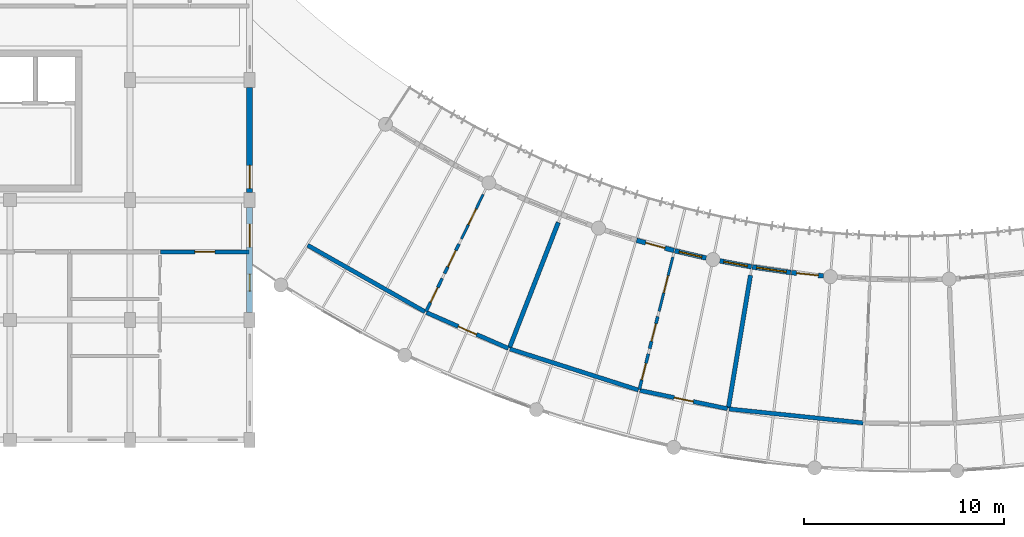
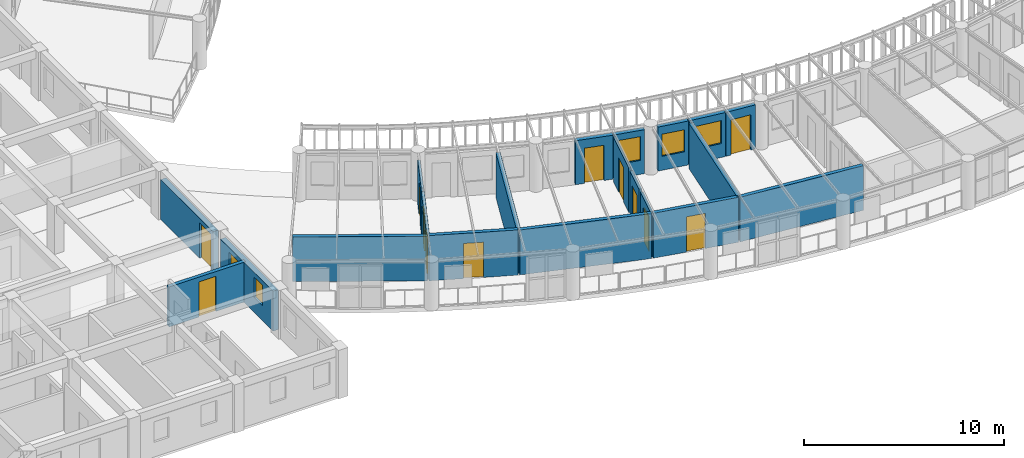
# One storey, part 77 of 123: 21 walls, 13 doors, 4 windows, 17 openings.
"""IFC4 building model written with IfcOpenShell, lengths in metres."""

from ifc_helpers import new_model, si_unit, direction, frame, frame_2d, origin, place, context, subcontext, project, spatial, rectangle, extrude, material, layer, layer_set, type_object, element, fill, save


model = new_model("IFC4")

# Units and contexts
model_context = context("Model", 3, precision=1e-05, world=origin(), true_north=direction((0.0, 1.0)))
body_context = subcontext(model_context, "Body", "Model", "MODEL_VIEW")
ifc_project = project(units=[si_unit("LENGTHUNIT", "METRE"), si_unit("AREAUNIT", "SQUARE_METRE"), si_unit("VOLUMEUNIT", "CUBIC_METRE"), si_unit("PLANEANGLEUNIT", "RADIAN"), si_unit("MASSUNIT", "GRAM", prefix="KILO"), si_unit("POWERUNIT", "WATT"), si_unit("THERMODYNAMICTEMPERATUREUNIT", "KELVIN")], contexts=[model_context])

# Site, building, storey
site_placement = place(None, origin())
site = spatial("IfcSite", under=ifc_project, at=site_placement, CompositionType="ELEMENT")
building_placement = place(site_placement, origin())
building = spatial("IfcBuilding", under=site, at=building_placement, Name="Ruvembo Vaulted Housing Court", CompositionType="ELEMENT")
storey_placement = place(building_placement, frame((0.0, 0.0, 7.699951171875)))
storey = spatial("IfcBuildingStorey", under=building, at=storey_placement, Name="L02", CompositionType="ELEMENT", Elevation=7.699951171875)

# Wall, opening, door
ifc_material_1 = material(Name="Concrete Blockwork 210", Category="masonry")
ifc_layer_1 = layer(ifc_material_1, 0.2099609375, Name="Concrete Blockwork 210")
ifc_layer_set_1 = layer_set([ifc_layer_1], Name="Concrete Blockwork 210")
wall_type_1 = type_object("IfcWallType", Name="WL-CORR-210", PredefinedType="SOLIDWALL", material=ifc_layer_set_1)
wall_1_placement = place(storey_placement, frame((31.5400390625, 15.39990234375, 0.0), z_axis=(0.0, 0.0, 1.0), x_axis=(1.0, 0.0, 0.0)))
wall_1 = element("IfcWall", 1, at=wall_1_placement, inside=storey, type_object=wall_type_1, Name="L02 Flat A-L02-S4 Entrance WL-INT-L02-00507", PredefinedType="SOLIDWALL", context=body_context, shape_type="SweptSolid", body=[
    extrude(rectangle(XDim=4.419921875, YDim=0.2099609375, at=frame_2d((2.2099609375, 0.0))), origin(), (0.0, 0.0, 1.0), 2.43701171875),
])
opening_1_placement = place(wall_1_placement, frame((1.7099609375, 0.0, 0.0)))
opening_1 = element("IfcOpeningElement", 2, at=opening_1_placement, cuts=wall_1, Name="Opening FD1", PredefinedType="OPENING", context=body_context, shape_type="SweptSolid", body=[
    extrude(rectangle(XDim=1.0, YDim=2.14990234375, at=frame_2d((0.5, 1.074951171875))), frame((0.0, 0.114990234375, 0.0), z_axis=(0.0, -1.0, 0.0), x_axis=(1.0, 0.0, 0.0)), (0.0, 0.0, 1.0), 0.22998046875),
])
ifc_material_2 = material(Name="FSC Hardwood and Engineered Timber", Category="wood")
door_type_1 = type_object("IfcDoorType", Name="DR-FLAT-1000x2150", OperationType="NOTDEFINED", PredefinedType="DOOR", material=ifc_material_2)
door_1_placement = place(opening_1_placement, origin())
door_1 = element("IfcDoor", 3, at=door_1_placement, inside=storey, type_object=door_type_1, Name="L02 Flat A-L02-S4 Entrance Door DR-INT-L02-00276", OperationType="SINGLE_SWING_RIGHT", OverallHeight=2.14990234375, OverallWidth=1.0, PredefinedType="DOOR", context=body_context, shape_type="SweptSolid", body=[
    extrude(rectangle(XDim=1.0, YDim=2.14990234375, at=frame_2d((0.5, 1.074951171875))), frame((0.0, 0.02490234375, 0.0), z_axis=(0.0, -1.0, 0.0), x_axis=(1.0, 0.0, 0.0)), (0.0, 0.0, 1.0), 0.050048828125),
])
fill(opening_1, door_1)

# Wall
wall_2_placement = place(storey_placement, frame((38.897216796875, 15.7333984375, 0.0), z_axis=(0.0, 0.0, 1.0), x_axis=(0.86996578951, -0.493112081664, 0.0)))
element("IfcWall", 4, at=wall_2_placement, inside=storey, type_object=wall_type_1, Name="L02 Suite SC2-L02-U1 Gallery Wall WL-INT-L02-00705", PredefinedType="SOLIDWALL", context=body_context, shape_type="SweptSolid", body=[
    extrude(rectangle(XDim=6.747314453125, YDim=0.2099609375, at=frame_2d((3.37353515625, 0.0))), origin(), (0.0, 0.0, 1.0), 2.72216796875),
])

# Wall, opening, door
wall_3_placement = place(storey_placement, frame((44.83837890625, 12.37060546875, 0.0), z_axis=(0.0, 0.0, 1.0), x_axis=(0.91610596958, -0.40093621999, 0.0)))
wall_3 = element("IfcWall", 5, at=wall_3_placement, inside=storey, type_object=wall_type_1, Name="L02 Suite SC2-L02-U1 Entrance WL-INT-L02-00706", PredefinedType="SOLIDWALL", context=body_context, shape_type="SweptSolid", body=[
    extrude(rectangle(XDim=4.47314453125, YDim=0.2099609375, at=frame_2d((2.236572265625, 0.0))), origin(), (0.0, 0.0, 1.0), 2.761962890625),
])
opening_2_placement = place(wall_3_placement, frame((1.736572265625, 0.0, 0.0)))
opening_2 = element("IfcOpeningElement", 6, at=opening_2_placement, cuts=wall_3, Name="Opening FD1", PredefinedType="OPENING", context=body_context, shape_type="SweptSolid", body=[
    extrude(rectangle(XDim=1.0, YDim=2.14990234375, at=frame_2d((0.5, 1.074951171875))), frame((0.0, 0.114990234375, 0.0), z_axis=(0.0, -1.0, 0.0), x_axis=(1.0, 0.0, 0.0)), (0.0, 0.0, 1.0), 0.22998046875),
])
door_2_placement = place(opening_2_placement, origin())
door_2 = element("IfcDoor", 7, at=door_2_placement, inside=storey, type_object=door_type_1, Name="L02 Suite SC2-L02-U1 Entrance Door DR-INT-L02-00384", OperationType="SINGLE_SWING_RIGHT", OverallHeight=2.14990234375, OverallWidth=1.0, PredefinedType="DOOR", context=body_context, shape_type="SweptSolid", body=[
    extrude(rectangle(XDim=1.0, YDim=2.14990234375, at=frame_2d((0.5, 1.074951171875))), frame((0.0, 0.02490234375, 0.0), z_axis=(0.0, -1.0, 0.0), x_axis=(1.0, 0.0, 0.0)), (0.0, 0.0, 1.0), 0.050048828125),
])
fill(opening_2, door_2)

# Wall
wall_4_placement = place(storey_placement, frame((49.010986328125, 10.548828125, 0.0), z_axis=(0.0, 0.0, 1.0), x_axis=(0.952529122406, -0.304447484746, 0.0)))
element("IfcWall", 8, at=wall_4_placement, inside=storey, type_object=wall_type_1, Name="L02 Suite SC2-L02-U2 Gallery Wall WL-INT-L02-00711", PredefinedType="SOLIDWALL", context=body_context, shape_type="SweptSolid", body=[
    extrude(rectangle(XDim=6.747314453125, YDim=0.2099609375, at=frame_2d((3.37353515625, 0.0))), origin(), (0.0, 0.0, 1.0), 2.741943359375),
])

# Wall, opening, door
wall_5_placement = place(storey_placement, frame((55.51513671875, 8.47412109375, 0.0), z_axis=(0.0, 0.0, 1.0), x_axis=(0.978806148413, -0.204788973894, 0.0)))
wall_5 = element("IfcWall", 9, at=wall_5_placement, inside=storey, type_object=wall_type_1, Name="L02 Suite SC2-L02-U2 Entrance WL-INT-L02-00712", PredefinedType="SOLIDWALL", context=body_context, shape_type="SweptSolid", body=[
    extrude(rectangle(XDim=4.472900390625, YDim=0.2099609375, at=frame_2d((2.236328125, 0.0))), origin(), (0.0, 0.0, 1.0), 2.741943359375),
])
opening_3_placement = place(wall_5_placement, frame((1.74658203125, 0.0, 0.0)))
opening_3 = element("IfcOpeningElement", 10, at=opening_3_placement, cuts=wall_5, Name="Opening FD2", PredefinedType="OPENING", context=body_context, shape_type="SweptSolid", body=[
    extrude(rectangle(XDim=0.97998046875, YDim=2.14990234375, at=frame_2d((0.489990234375, 1.074951171875))), frame((0.0, 0.114990234375, 0.0), z_axis=(0.0, -1.0, 0.0), x_axis=(1.0, 0.0, 0.0)), (0.0, 0.0, 1.0), 0.22998046875),
])
door_type_2 = type_object("IfcDoorType", Name="DR-FLAT-0980x2150", OperationType="NOTDEFINED", PredefinedType="DOOR", material=ifc_material_2)
door_3_placement = place(opening_3_placement, origin())
door_3 = element("IfcDoor", 11, at=door_3_placement, inside=storey, type_object=door_type_2, Name="L02 Suite SC2-L02-U2 Entrance Door DR-INT-L02-00388", OperationType="SINGLE_SWING_RIGHT", OverallHeight=2.14990234375, OverallWidth=0.97998046875, PredefinedType="DOOR", context=body_context, shape_type="SweptSolid", body=[
    extrude(rectangle(XDim=0.97998046875, YDim=2.14990234375, at=frame_2d((0.489990234375, 1.074951171875))), frame((0.0, 0.02490234375, 0.0), z_axis=(0.0, -1.0, 0.0), x_axis=(1.0, 0.0, 0.0)), (0.0, 0.0, 1.0), 0.050048828125),
])
fill(opening_3, door_3)

# Walls
wall_6_placement = place(storey_placement, frame((59.972412109375, 7.545654296875, 0.0), z_axis=(0.0, 0.0, 1.0), x_axis=(0.994686939686, -0.10294606364, 0.0)))
element("IfcWall", 12, at=wall_6_placement, inside=storey, type_object=wall_type_1, Name="L02 Suite SC2-L02-U3 Gallery Wall WL-INT-L02-00717", PredefinedType="SOLIDWALL", context=body_context, shape_type="SweptSolid", body=[
    extrude(rectangle(XDim=6.7470703125, YDim=0.2099609375, at=frame_2d((3.37353515625, 0.0))), origin(), (0.0, 0.0, 1.0), 2.72216796875),
])
ifc_material_3 = material(Name="Acoustic Masonry Demising 220", Category="masonry")
ifc_layer_2 = layer(ifc_material_3, 0.219970703125, Name="Acoustic Masonry Demising 220")
ifc_layer_set_2 = layer_set([ifc_layer_2], Name="Acoustic Masonry Demising 220")
wall_type_2 = type_object("IfcWallType", Name="WL-DEM-200", PredefinedType="SOLIDWALL", material=ifc_layer_set_2)
wall_7_placement = place(storey_placement, frame((51.431396484375, 16.87548828125, 0.0), z_axis=(0.0, 0.0, 1.0), x_axis=(-0.362801288891, -0.931866527341, 0.0)))
element("IfcWall", 13, at=wall_7_placement, inside=storey, type_object=wall_type_2, Name="L02 Suite SC2-L02-U1 Demising WL-INT-L02-00710", PredefinedType="SOLIDWALL", context=body_context, shape_type="SweptSolid", body=[
    extrude(rectangle(XDim=6.736083984375, YDim=0.219970703125, at=frame_2d((3.3681640625, 0.0))), origin(), (0.0, 0.0, 1.0), 2.72216796875),
])
wall_8_placement = place(storey_placement, frame((61.045654296875, 14.233642578125, 0.0), z_axis=(0.0, 0.0, 1.0), x_axis=(-0.164263800505, -0.986416445445, 0.0)))
element("IfcWall", 14, at=wall_8_placement, inside=storey, type_object=wall_type_2, Name="L02 Suite SC2-L02-U2 Demising WL-INT-L02-00716", PredefinedType="SOLIDWALL", context=body_context, shape_type="SweptSolid", body=[
    extrude(rectangle(XDim=6.73583984375, YDim=0.219970703125, at=frame_2d((3.367919921875, 0.0))), origin(), (0.0, 0.0, 1.0), 2.761962890625),
])

# Wall, opening, door
ifc_material_4 = material(Name="Rendered Masonry 235", Category="masonry")
ifc_layer_3 = layer(ifc_material_4, 0.235107421875, Name="Rendered Masonry 235")
ifc_layer_set_3 = layer_set([ifc_layer_3], Name="Rendered Masonry 235")
wall_type_3 = type_object("IfcWallType", Name="WL-EXT-235", PredefinedType="STANDARD", material=ifc_layer_set_3)
wall_9_placement = place(storey_placement, frame((55.35009765625, 15.982177734375, 0.0), z_axis=(0.0, 0.0, 1.0), x_axis=(0.964271323293, -0.264916619098, 0.0)))
wall_9 = element("IfcWall", 15, at=wall_9_placement, inside=storey, type_object=wall_type_3, Name="Scoop SC2 L02 Concave Balcony Wall 7", PredefinedType="STANDARD", context=body_context, shape_type="SweptSolid", body=[
    extrude(rectangle(XDim=1.93994140625, YDim=0.235107421875, at=frame_2d((0.969970703125, 0.0))), origin(), (0.0, 0.0, 1.0), 2.68408203125),
])
opening_4_placement = place(wall_9_placement, frame((0.469970703125, 0.0, 0.0)))
opening_4 = element("IfcOpeningElement", 16, at=opening_4_placement, cuts=wall_9, Name="Opening BD1", PredefinedType="OPENING", context=body_context, shape_type="SweptSolid", body=[
    extrude(rectangle(XDim=1.0, YDim=2.14990234375, at=frame_2d((0.5, 1.074951171875))), frame((0.0, 0.12744140625, 0.0), z_axis=(0.0, -1.0, 0.0), x_axis=(1.0, 0.0, 0.0)), (0.0, 0.0, 1.0), 0.255126953125),
])
ifc_material_5 = material(Name="Thermally Broken Glazed Aluminium", Category="aluminium")
door_type_3 = type_object("IfcDoorType", Name="DR-BAL-1000x2150", OperationType="NOTDEFINED", PredefinedType="DOOR", material=ifc_material_5)
door_4_placement = place(opening_4_placement, origin())
door_4 = element("IfcDoor", 17, at=door_4_placement, inside=storey, type_object=door_type_3, Name="Scoop SC2 L02 Balcony Door 7", OperationType="SINGLE_SWING_RIGHT", OverallHeight=2.14990234375, OverallWidth=1.0, PredefinedType="DOOR", context=body_context, shape_type="SweptSolid", body=[
    extrude(rectangle(XDim=1.0, YDim=2.14990234375, at=frame_2d((0.5, 1.074951171875))), frame((0.0, 0.02490234375, 0.0), z_axis=(0.0, -1.0, 0.0), x_axis=(1.0, 0.0, 0.0)), (0.0, 0.0, 1.0), 0.050048828125),
])
fill(opening_4, door_4)

# Wall, opening, window
wall_10_placement = place(storey_placement, frame((57.259521484375, 15.45849609375, 0.0), z_axis=(0.0, 0.0, 1.0), x_axis=(0.974355406192, -0.225014538249, 0.0)))
wall_10 = element("IfcWall", 18, at=wall_10_placement, inside=storey, type_object=wall_type_3, Name="Scoop SC2 L02 Concave Balcony Wall 8", PredefinedType="STANDARD", context=body_context, shape_type="SweptSolid", body=[
    extrude(rectangle(XDim=1.610107421875, YDim=0.235107421875, at=frame_2d((0.80517578125, 0.0))), origin(), (0.0, 0.0, 1.0), 2.68408203125),
])
opening_5_placement = place(wall_10_placement, frame((0.22998046875, 0.0, 0.85009765625)))
opening_5 = element("IfcOpeningElement", 19, at=opening_5_placement, cuts=wall_10, Name="Opening W11", PredefinedType="OPENING", context=body_context, shape_type="SweptSolid", body=[
    extrude(rectangle(XDim=1.14990234375, YDim=1.449951171875, at=frame_2d((0.574951171875, 0.72509765625))), frame((0.0, 0.12744140625, 0.0), z_axis=(0.0, -1.0, 0.0), x_axis=(1.0, 0.0, 0.0)), (0.0, 0.0, 1.0), 0.255126953125),
])
ifc_material_6 = material(Name="Double Solar-Control Glazing in Aluminium Frame", Category="aluminium")
window_type_1 = type_object("IfcWindowType", Name="WIN-1150x1450", PartitioningType="SINGLE_PANEL", PredefinedType="WINDOW", material=ifc_material_6)
window_1_placement = place(opening_5_placement, origin())
window_1 = element("IfcWindow", 20, at=window_1_placement, inside=storey, type_object=window_type_1, Name="Scoop SC2 L02 Concave Window 8", OverallHeight=1.449951171875, OverallWidth=1.14990234375, PartitioningType="SINGLE_PANEL", PredefinedType="WINDOW", context=body_context, shape_type="SweptSolid", body=[
    extrude(rectangle(XDim=1.14990234375, YDim=1.449951171875, at=frame_2d((0.574951171875, 0.72509765625))), frame((0.0, 0.030029296875, 0.0), z_axis=(0.0, -1.0, 0.0), x_axis=(1.0, 0.0, 0.0)), (0.0, 0.0, 1.0), 0.06005859375),
])
fill(opening_5, window_1)

wall_11_placement = place(storey_placement, frame((59.51318359375, 14.952880859375, 0.0), z_axis=(0.0, 0.0, 1.0), x_axis=(0.982827529128, -0.184526550902, 0.0)))
wall_11 = element("IfcWall", 21, at=wall_11_placement, inside=storey, type_object=wall_type_3, Name="Scoop SC2 L02 Concave Balcony Wall 9", PredefinedType="STANDARD", context=body_context, shape_type="SweptSolid", body=[
    extrude(rectangle(XDim=1.610107421875, YDim=0.235107421875, at=frame_2d((0.80517578125, 0.0))), origin(), (0.0, 0.0, 1.0), 2.68408203125),
])
opening_6_placement = place(wall_11_placement, frame((0.205078125, 0.0, 0.85009765625)))
opening_6 = element("IfcOpeningElement", 22, at=opening_6_placement, cuts=wall_11, Name="Opening W12", PredefinedType="OPENING", context=body_context, shape_type="SweptSolid", body=[
    extrude(rectangle(XDim=1.199951171875, YDim=1.35009765625, at=frame_2d((0.60009765625, 0.675048828125))), frame((0.0, 0.12744140625, 0.0), z_axis=(0.0, -1.0, 0.0), x_axis=(1.0, 0.0, 0.0)), (0.0, 0.0, 1.0), 0.255126953125),
])
window_type_2 = type_object("IfcWindowType", Name="WIN-1200x1350", PartitioningType="SINGLE_PANEL", PredefinedType="WINDOW", material=ifc_material_6)
window_2_placement = place(opening_6_placement, origin())
window_2 = element("IfcWindow", 23, at=window_2_placement, inside=storey, type_object=window_type_2, Name="Scoop SC2 L02 Concave Window 9", OverallHeight=1.35009765625, OverallWidth=1.199951171875, PartitioningType="SINGLE_PANEL", PredefinedType="WINDOW", context=body_context, shape_type="SweptSolid", body=[
    extrude(rectangle(XDim=1.199951171875, YDim=1.35009765625, at=frame_2d((0.60009765625, 0.675048828125))), frame((0.0, 0.030029296875, 0.0), z_axis=(0.0, -1.0, 0.0), x_axis=(1.0, 0.0, 0.0)), (0.0, 0.0, 1.0), 0.06005859375),
])
fill(opening_6, window_2)

wall_12_placement = place(storey_placement, frame((61.135009765625, 14.649169921875, 0.0), z_axis=(0.0, 0.0, 1.0), x_axis=(0.989601751146, -0.14383453733, 0.0)))
wall_12 = element("IfcWall", 24, at=wall_12_placement, inside=storey, type_object=wall_type_3, Name="Scoop SC2 L02 Concave Balcony Wall 10", PredefinedType="STANDARD", context=body_context, shape_type="SweptSolid", body=[
    extrude(rectangle(XDim=1.940185546875, YDim=0.235107421875, at=frame_2d((0.97021484375, 0.0))), origin(), (0.0, 0.0, 1.0), 2.68408203125),
])
opening_7_placement = place(wall_12_placement, frame((0.219970703125, 0.0, 0.85009765625)))
opening_7 = element("IfcOpeningElement", 25, at=opening_7_placement, cuts=wall_12, Name="Opening W18", PredefinedType="OPENING", context=body_context, shape_type="SweptSolid", body=[
    extrude(rectangle(XDim=1.5, YDim=1.39990234375, at=frame_2d((0.75, 0.699951171875))), frame((0.0, 0.12744140625, 0.0), z_axis=(0.0, -1.0, 0.0), x_axis=(1.0, 0.0, 0.0)), (0.0, 0.0, 1.0), 0.255126953125),
])
window_type_3 = type_object("IfcWindowType", Name="WIN-1500x1400", PartitioningType="SINGLE_PANEL", PredefinedType="WINDOW", material=ifc_material_6)
window_3_placement = place(opening_7_placement, origin())
window_3 = element("IfcWindow", 26, at=window_3_placement, inside=storey, type_object=window_type_3, Name="Scoop SC2 L02 Concave Window 10", OverallHeight=1.39990234375, OverallWidth=1.5, PartitioningType="SINGLE_PANEL", PredefinedType="WINDOW", context=body_context, shape_type="SweptSolid", body=[
    extrude(rectangle(XDim=1.5, YDim=1.39990234375, at=frame_2d((0.75, 0.699951171875))), frame((0.0, 0.030029296875, 0.0), z_axis=(0.0, -1.0, 0.0), x_axis=(1.0, 0.0, 0.0)), (0.0, 0.0, 1.0), 0.06005859375),
])
fill(opening_7, window_3)

# Wall, opening, door
wall_13_placement = place(storey_placement, frame((63.094482421875, 14.364990234375, 0.0), z_axis=(0.0, 0.0, 1.0), x_axis=(0.994685905428, -0.10295605637, 0.0)))
wall_13 = element("IfcWall", 27, at=wall_13_placement, inside=storey, type_object=wall_type_3, Name="Scoop SC2 L02 Concave Balcony Wall 11", PredefinedType="STANDARD", context=body_context, shape_type="SweptSolid", body=[
    extrude(rectangle(XDim=1.610107421875, YDim=0.235107421875, at=frame_2d((0.80517578125, 0.0))), origin(), (0.0, 0.0, 1.0), 2.68408203125),
])
opening_8_placement = place(wall_13_placement, frame((0.2548828125, 0.0, 0.0)))
opening_8 = element("IfcOpeningElement", 28, at=opening_8_placement, cuts=wall_13, Name="Opening BD3", PredefinedType="OPENING", context=body_context, shape_type="SweptSolid", body=[
    extrude(rectangle(XDim=1.10009765625, YDim=2.14990234375, at=frame_2d((0.550048828125, 1.074951171875))), frame((0.0, 0.12744140625, 0.0), z_axis=(0.0, -1.0, 0.0), x_axis=(1.0, 0.0, 0.0)), (0.0, 0.0, 1.0), 0.255126953125),
])
door_type_4 = type_object("IfcDoorType", Name="DR-BAL-1100x2150", OperationType="NOTDEFINED", PredefinedType="DOOR", material=ifc_material_5)
door_5_placement = place(opening_8_placement, origin())
door_5 = element("IfcDoor", 29, at=door_5_placement, inside=storey, type_object=door_type_4, Name="Scoop SC2 L02 Balcony Door 11", OperationType="SINGLE_SWING_LEFT", OverallHeight=2.14990234375, OverallWidth=1.10009765625, PredefinedType="DOOR", context=body_context, shape_type="SweptSolid", body=[
    extrude(rectangle(XDim=1.10009765625, YDim=2.14990234375, at=frame_2d((0.550048828125, 1.074951171875))), frame((0.0, 0.02490234375, 0.0), z_axis=(0.0, -1.0, 0.0), x_axis=(1.0, 0.0, 0.0)), (0.0, 0.0, 1.0), 0.050048828125),
])
fill(opening_8, door_5)

# Wall, openings, door, window
ifc_material_7 = material(Name="Rendered Masonry 300", Category="masonry")
ifc_layer_4 = layer(ifc_material_7, 0.300048828125, Name="Rendered Masonry 300")
ifc_layer_set_4 = layer_set([ifc_layer_4], Name="Rendered Masonry 300")
wall_type_4 = type_object("IfcWallType", Name="WL-EXT-300", PredefinedType="STANDARD", material=ifc_layer_set_4)
wall_14_placement = place(storey_placement, frame((36.0, 12.375, 0.0), z_axis=(0.0, 0.0, 1.0), x_axis=(0.0, 1.0, 0.0)))
wall_14 = element("IfcWall", 30, at=wall_14_placement, inside=storey, type_object=wall_type_4, Name="Block A L02 Exterior Wall EAST #2", PredefinedType="STANDARD", context=body_context, shape_type="SweptSolid", body=[
    extrude(rectangle(XDim=5.25, YDim=0.300048828125, at=frame_2d((2.625, 0.0))), origin(), (0.0, 0.0, 1.0), 2.43701171875),
])
opening_9_placement = place(wall_14_placement, frame((3.264892578125, 0.0, 0.0)))
opening_9 = element("IfcOpeningElement", 31, at=opening_9_placement, cuts=wall_14, Name="Opening GD1", PredefinedType="OPENING", context=body_context, shape_type="SweptSolid", body=[
    extrude(rectangle(XDim=1.14990234375, YDim=2.14990234375, at=frame_2d((0.574951171875, 1.074951171875))), frame((0.0, 0.159912109375, 0.0), z_axis=(0.0, -1.0, 0.0), x_axis=(1.0, 0.0, 0.0)), (0.0, 0.0, 1.0), 0.320068359375),
])
opening_10_placement = place(wall_14_placement, frame((1.0673828125, 0.0, 0.89990234375)))
opening_10 = element("IfcOpeningElement", 32, at=opening_10_placement, cuts=wall_14, Name="Opening W03", PredefinedType="OPENING", context=body_context, shape_type="SweptSolid", body=[
    extrude(rectangle(XDim=0.85009765625, YDim=1.25, at=frame_2d((0.425048828125, 0.625))), frame((0.0, 0.159912109375, 0.0), z_axis=(0.0, -1.0, 0.0), x_axis=(1.0, 0.0, 0.0)), (0.0, 0.0, 1.0), 0.320068359375),
])
door_type_5 = type_object("IfcDoorType", Name="DR-GAL-1150x2150", OperationType="NOTDEFINED", PredefinedType="DOOR", material=ifc_material_5)
door_6_placement = place(opening_9_placement, frame((1.14990234375, 0.0, 0.0), z_axis=(0.0, 0.0, 1.0), x_axis=(-1.0, 0.0, 0.0)))
door_6 = element("IfcDoor", 33, at=door_6_placement, inside=storey, type_object=door_type_5, Name="Block A L02 Terrace or Gallery Door DR-TER-A-L02-007", OperationType="SINGLE_SWING_RIGHT", OverallHeight=2.14990234375, OverallWidth=1.14990234375, PredefinedType="DOOR", context=body_context, shape_type="SweptSolid", body=[
    extrude(rectangle(XDim=1.14990234375, YDim=2.14990234375, at=frame_2d((0.574951171875, 1.074951171875))), frame((0.0, 0.02490234375, 0.0), z_axis=(0.0, -1.0, 0.0), x_axis=(1.0, 0.0, 0.0)), (0.0, 0.0, 1.0), 0.050048828125),
])
fill(opening_9, door_6)
window_type_4 = type_object("IfcWindowType", Name="WIN-0850x1250", PartitioningType="SINGLE_PANEL", PredefinedType="WINDOW", material=ifc_material_6)
window_4_placement = place(opening_10_placement, origin())
window_4 = element("IfcWindow", 34, at=window_4_placement, inside=storey, type_object=window_type_4, Name="Block A L02 Window #97", OverallHeight=1.25, OverallWidth=0.85009765625, PartitioningType="SINGLE_PANEL", PredefinedType="WINDOW", context=body_context, shape_type="SweptSolid", body=[
    extrude(rectangle(XDim=0.85009765625, YDim=1.25, at=frame_2d((0.425048828125, 0.625))), frame((0.0, 0.030029296875, 0.0), z_axis=(0.0, -1.0, 0.0), x_axis=(1.0, 0.0, 0.0)), (0.0, 0.0, 1.0), 0.06005859375),
])
fill(opening_10, window_4)

# Wall, opening, door
wall_15_placement = place(storey_placement, frame((36.0, 18.375, 0.0), z_axis=(0.0, 0.0, 1.0), x_axis=(0.0, 1.0, 0.0)))
wall_15 = element("IfcWall", 35, at=wall_15_placement, inside=storey, type_object=wall_type_4, Name="Block A L02 Exterior Wall EAST #3", PredefinedType="STANDARD", context=body_context, shape_type="SweptSolid", body=[
    extrude(rectangle(XDim=5.25, YDim=0.300048828125, at=frame_2d((2.625, 0.0))), origin(), (0.0, 0.0, 1.0), 2.43701171875),
])
opening_11_placement = place(wall_15_placement, frame((0.199951171875, 0.0, 0.0)))
opening_11 = element("IfcOpeningElement", 36, at=opening_11_placement, cuts=wall_15, Name="Opening GD1", PredefinedType="OPENING", context=body_context, shape_type="SweptSolid", body=[
    extrude(rectangle(XDim=1.14990234375, YDim=2.14990234375, at=frame_2d((0.574951171875, 1.074951171875))), frame((0.0, 0.159912109375, 0.0), z_axis=(0.0, -1.0, 0.0), x_axis=(1.0, 0.0, 0.0)), (0.0, 0.0, 1.0), 0.320068359375),
])
door_7_placement = place(opening_11_placement, frame((1.14990234375, 0.0, 0.0), z_axis=(0.0, 0.0, 1.0), x_axis=(-1.0, 0.0, 0.0)))
door_7 = element("IfcDoor", 37, at=door_7_placement, inside=storey, type_object=door_type_5, Name="Block A L02 Terrace or Gallery Door DR-TER-A-L02-008", OperationType="SINGLE_SWING_LEFT", OverallHeight=2.14990234375, OverallWidth=1.14990234375, PredefinedType="DOOR", context=body_context, shape_type="SweptSolid", body=[
    extrude(rectangle(XDim=1.14990234375, YDim=2.14990234375, at=frame_2d((0.574951171875, 1.074951171875))), frame((0.0, 0.02490234375, 0.0), z_axis=(0.0, -1.0, 0.0), x_axis=(1.0, 0.0, 0.0)), (0.0, 0.0, 1.0), 0.050048828125),
])
fill(opening_11, door_7)

ifc_material_8 = material(Name="Plasterboard Stud Partition 125", Category="gypsum")
ifc_layer_5 = layer(ifc_material_8, 0.125, Name="Plasterboard Stud Partition 125")
ifc_layer_set_5 = layer_set([ifc_layer_5], Name="Plasterboard Stud Partition 125")
wall_type_5 = type_object("IfcWallType", Name="WL-PART-125", PredefinedType="PARTITIONING", material=ifc_layer_set_5)
wall_16_placement = place(storey_placement, frame((47.674072265625, 18.275390625, 0.0), z_axis=(0.0, 0.0, 1.0), x_axis=(-0.438371263406, -0.898793989421, 0.0)))
wall_16 = element("IfcWall", 38, at=wall_16_placement, inside=storey, type_object=wall_type_5, Name="L02 Suite SC2-L02-U1 Bedroom WL-INT-L02-00707", PredefinedType="PARTITIONING", context=body_context, shape_type="SweptSolid", body=[
    extrude(rectangle(XDim=2.47998046875, YDim=0.125, at=frame_2d((1.239990234375, 0.0))), origin(), (0.0, 0.0, 1.0), 2.741943359375),
])
opening_12_placement = place(wall_16_placement, frame((0.800048828125, 0.0, 0.0)))
opening_12 = element("IfcOpeningElement", 39, at=opening_12_placement, cuts=wall_16, Name="Opening ID3", PredefinedType="OPENING", context=body_context, shape_type="SweptSolid", body=[
    extrude(rectangle(XDim=0.8798828125, YDim=2.10009765625, at=frame_2d((0.43994140625, 1.050048828125))), frame((0.0, 0.072509765625, 0.0), z_axis=(0.0, -1.0, 0.0), x_axis=(1.0, 0.0, 0.0)), (0.0, 0.0, 1.0), 0.14501953125),
])
door_type_6 = type_object("IfcDoorType", Name="DR-ROOM-0880x2100", OperationType="NOTDEFINED", PredefinedType="DOOR", material=ifc_material_2)
door_8_placement = place(opening_12_placement, origin())
door_8 = element("IfcDoor", 40, at=door_8_placement, inside=storey, type_object=door_type_6, Name="L02 Suite SC2-L02-U1 Bedroom Door DR-INT-L02-00385", OperationType="SINGLE_SWING_LEFT", OverallHeight=2.10009765625, OverallWidth=0.8798828125, PredefinedType="DOOR", context=body_context, shape_type="SweptSolid", body=[
    extrude(rectangle(XDim=0.8798828125, YDim=2.10009765625, at=frame_2d((0.43994140625, 1.050048828125))), frame((0.0, 0.02490234375, 0.0), z_axis=(0.0, -1.0, 0.0), x_axis=(1.0, 0.0, 0.0)), (0.0, 0.0, 1.0), 0.050048828125),
])
fill(opening_12, door_8)

wall_17_placement = place(storey_placement, frame((57.15966796875, 15.14501953125, 0.0), z_axis=(0.0, 0.0, 1.0), x_axis=(-0.245017317517, -0.969518702304, 0.0)))
wall_17 = element("IfcWall", 41, at=wall_17_placement, inside=storey, type_object=wall_type_5, Name="L02 Suite SC2-L02-U2 Bedroom WL-INT-L02-00713", PredefinedType="PARTITIONING", context=body_context, shape_type="SweptSolid", body=[
    extrude(rectangle(XDim=2.800048828125, YDim=0.125, at=frame_2d((1.39990234375, 0.0))), origin(), (0.0, 0.0, 1.0), 2.72216796875),
])
opening_13_placement = place(wall_17_placement, frame((0.9599609375, 0.0, 0.0)))
opening_13 = element("IfcOpeningElement", 42, at=opening_13_placement, cuts=wall_17, Name="Opening ID3", PredefinedType="OPENING", context=body_context, shape_type="SweptSolid", body=[
    extrude(rectangle(XDim=0.8798828125, YDim=2.10009765625, at=frame_2d((0.43994140625, 1.050048828125))), frame((0.0, 0.072509765625, 0.0), z_axis=(0.0, -1.0, 0.0), x_axis=(1.0, 0.0, 0.0)), (0.0, 0.0, 1.0), 0.14501953125),
])
door_9_placement = place(opening_13_placement, origin())
door_9 = element("IfcDoor", 43, at=door_9_placement, inside=storey, type_object=door_type_6, Name="L02 Suite SC2-L02-U2 Bedroom Door DR-INT-L02-00389", OperationType="SINGLE_SWING_LEFT", OverallHeight=2.10009765625, OverallWidth=0.8798828125, PredefinedType="DOOR", context=body_context, shape_type="SweptSolid", body=[
    extrude(rectangle(XDim=0.8798828125, YDim=2.10009765625, at=frame_2d((0.43994140625, 1.050048828125))), frame((0.0, 0.02490234375, 0.0), z_axis=(0.0, -1.0, 0.0), x_axis=(1.0, 0.0, 0.0)), (0.0, 0.0, 1.0), 0.050048828125),
])
fill(opening_13, door_9)

ifc_material_9 = material(Name="Moisture-Resistant Wet Partition 150", Category="gypsum")
ifc_layer_6 = layer(ifc_material_9, 0.14990234375, Name="Moisture-Resistant Wet Partition 150")
ifc_layer_set_6 = layer_set([ifc_layer_6], Name="Moisture-Resistant Wet Partition 150")
wall_type_6 = type_object("IfcWallType", Name="WL-PART-150", PredefinedType="PARTITIONING", material=ifc_layer_set_6)
wall_18_placement = place(storey_placement, frame((45.626220703125, 14.076416015625, 0.0), z_axis=(0.0, 0.0, 1.0), x_axis=(-0.438488979871, -0.898736565703, 0.0)))
wall_18 = element("IfcWall", 44, at=wall_18_placement, inside=storey, type_object=wall_type_6, Name="L02 Suite SC2-L02-U1 Bathroom WL-INT-L02-00709", PredefinedType="PARTITIONING", context=body_context, shape_type="SweptSolid", body=[
    extrude(rectangle(XDim=1.840087890625, YDim=0.14990234375, at=frame_2d((0.919921875, 0.0))), origin(), (0.0, 0.0, 1.0), 2.741943359375),
])
opening_14_placement = place(wall_18_placement, frame((0.510009765625, 0.0, 0.0)))
opening_14 = element("IfcOpeningElement", 45, at=opening_14_placement, cuts=wall_18, Name="Opening ID4", PredefinedType="OPENING", context=body_context, shape_type="SweptSolid", body=[
    extrude(rectangle(XDim=0.820068359375, YDim=2.080078125, at=frame_2d((0.41015625, 1.0400390625))), frame((0.0, 0.0849609375, 0.0), z_axis=(0.0, -1.0, 0.0), x_axis=(1.0, 0.0, 0.0)), (0.0, 0.0, 1.0), 0.169921875),
])
door_type_7 = type_object("IfcDoorType", Name="DR-WET-0820x2080", OperationType="NOTDEFINED", PredefinedType="DOOR", material=ifc_material_2)
door_10_placement = place(opening_14_placement, origin())
door_10 = element("IfcDoor", 46, at=door_10_placement, inside=storey, type_object=door_type_7, Name="L02 Suite SC2-L02-U1 Bathroom Door DR-INT-L02-00387", OperationType="SINGLE_SWING_LEFT", OverallHeight=2.080078125, OverallWidth=0.820068359375, PredefinedType="DOOR", context=body_context, shape_type="SweptSolid", body=[
    extrude(rectangle(XDim=0.820068359375, YDim=2.080078125, at=frame_2d((0.41015625, 1.0400390625))), frame((0.0, 0.02490234375, 0.0), z_axis=(0.0, -1.0, 0.0), x_axis=(1.0, 0.0, 0.0)), (0.0, 0.0, 1.0), 0.050048828125),
])
fill(opening_14, door_10)

wall_19_placement = place(storey_placement, frame((55.9365234375, 10.304931640625, 0.0), z_axis=(0.0, 0.0, 1.0), x_axis=(-0.24497035727, -0.969530568914, 0.0)))
wall_19 = element("IfcWall", 47, at=wall_19_placement, inside=storey, type_object=wall_type_6, Name="L02 Suite SC2-L02-U2 Bathroom WL-INT-L02-00715", PredefinedType="PARTITIONING", context=body_context, shape_type="SweptSolid", body=[
    extrude(rectangle(XDim=1.83984375, YDim=0.14990234375, at=frame_2d((0.919921875, 0.0))), origin(), (0.0, 0.0, 1.0), 2.72216796875),
])
opening_15_placement = place(wall_19_placement, frame((0.494873046875, 0.0, 0.0)))
opening_15 = element("IfcOpeningElement", 48, at=opening_15_placement, cuts=wall_19, Name="Opening ID2", PredefinedType="OPENING", context=body_context, shape_type="SweptSolid", body=[
    extrude(rectangle(XDim=0.85009765625, YDim=2.10009765625, at=frame_2d((0.425048828125, 1.050048828125))), frame((0.0, 0.0849609375, 0.0), z_axis=(0.0, -1.0, 0.0), x_axis=(1.0, 0.0, 0.0)), (0.0, 0.0, 1.0), 0.169921875),
])
door_type_8 = type_object("IfcDoorType", Name="DR-WET-0850x2100", OperationType="NOTDEFINED", PredefinedType="DOOR", material=ifc_material_2)
door_11_placement = place(opening_15_placement, origin())
door_11 = element("IfcDoor", 49, at=door_11_placement, inside=storey, type_object=door_type_8, Name="L02 Suite SC2-L02-U2 Bathroom Door DR-INT-L02-00391", OperationType="SINGLE_SWING_LEFT", OverallHeight=2.10009765625, OverallWidth=0.85009765625, PredefinedType="DOOR", context=body_context, shape_type="SweptSolid", body=[
    extrude(rectangle(XDim=0.85009765625, YDim=2.10009765625, at=frame_2d((0.425048828125, 1.050048828125))), frame((0.0, 0.02490234375, 0.0), z_axis=(0.0, -1.0, 0.0), x_axis=(1.0, 0.0, 0.0)), (0.0, 0.0, 1.0), 0.050048828125),
])
fill(opening_15, door_11)

ifc_material_10 = material(Name="Acoustic Service Chase Wall 160", Category="gypsum")
ifc_layer_7 = layer(ifc_material_10, 0.159912109375, Name="Acoustic Service Chase Wall 160")
ifc_layer_set_7 = layer_set([ifc_layer_7], Name="Acoustic Service Chase Wall 160")
wall_type_7 = type_object("IfcWallType", Name="WL-PLUMB-160", PredefinedType="PLUMBINGWALL", material=ifc_layer_set_7)
wall_20_placement = place(storey_placement, frame((46.4677734375, 15.802001953125, 0.0), z_axis=(0.0, 0.0, 1.0), x_axis=(-0.438482002729, -0.898739969782, 0.0)))
wall_20 = element("IfcWall", 50, at=wall_20_placement, inside=storey, type_object=wall_type_7, Name="L02 Suite SC2-L02-U1 Kitchen WL-INT-L02-00708", PredefinedType="PLUMBINGWALL", context=body_context, shape_type="SweptSolid", body=[
    extrude(rectangle(XDim=1.648193359375, YDim=0.159912109375, at=frame_2d((0.82421875, 0.0))), origin(), (0.0, 0.0, 1.0), 2.741943359375),
])
opening_16_placement = place(wall_20_placement, frame((0.3740234375, 0.0, 0.0)))
opening_16 = element("IfcOpeningElement", 51, at=opening_16_placement, cuts=wall_20, Name="Opening ID1", PredefinedType="OPENING", context=body_context, shape_type="SweptSolid", body=[
    extrude(rectangle(XDim=0.89990234375, YDim=2.10009765625, at=frame_2d((0.449951171875, 1.050048828125))), frame((0.0, 0.08984375, 0.0), z_axis=(0.0, -1.0, 0.0), x_axis=(1.0, 0.0, 0.0)), (0.0, 0.0, 1.0), 0.179931640625),
])
door_type_9 = type_object("IfcDoorType", Name="DR-ROOM-0900x2100", OperationType="NOTDEFINED", PredefinedType="DOOR", material=ifc_material_2)
door_12_placement = place(opening_16_placement, origin())
door_12 = element("IfcDoor", 52, at=door_12_placement, inside=storey, type_object=door_type_9, Name="L02 Suite SC2-L02-U1 Kitchen Door DR-INT-L02-00386", OperationType="SINGLE_SWING_RIGHT", OverallHeight=2.10009765625, OverallWidth=0.89990234375, PredefinedType="DOOR", context=body_context, shape_type="SweptSolid", body=[
    extrude(rectangle(XDim=0.89990234375, YDim=2.10009765625, at=frame_2d((0.449951171875, 1.050048828125))), frame((0.0, 0.02490234375, 0.0), z_axis=(0.0, -1.0, 0.0), x_axis=(1.0, 0.0, 0.0)), (0.0, 0.0, 1.0), 0.050048828125),
])
fill(opening_16, door_12)

wall_21_placement = place(storey_placement, frame((56.406982421875, 12.16650390625, 0.0), z_axis=(0.0, 0.0, 1.0), x_axis=(-0.245044695728, -0.969511782855, 0.0)))
wall_21 = element("IfcWall", 53, at=wall_21_placement, inside=storey, type_object=wall_type_7, Name="L02 Suite SC2-L02-U2 Kitchen WL-INT-L02-00714", PredefinedType="PLUMBINGWALL", context=body_context, shape_type="SweptSolid", body=[
    extrude(rectangle(XDim=1.64794921875, YDim=0.159912109375, at=frame_2d((0.823974609375, 0.0))), origin(), (0.0, 0.0, 1.0), 2.72216796875),
])
opening_17_placement = place(wall_21_placement, frame((0.3740234375, 0.0, 0.0)))
opening_17 = element("IfcOpeningElement", 54, at=opening_17_placement, cuts=wall_21, Name="Opening ID1", PredefinedType="OPENING", context=body_context, shape_type="SweptSolid", body=[
    extrude(rectangle(XDim=0.89990234375, YDim=2.10009765625, at=frame_2d((0.449951171875, 1.050048828125))), frame((0.0, 0.08984375, 0.0), z_axis=(0.0, -1.0, 0.0), x_axis=(1.0, 0.0, 0.0)), (0.0, 0.0, 1.0), 0.179931640625),
])
door_13_placement = place(opening_17_placement, origin())
door_13 = element("IfcDoor", 55, at=door_13_placement, inside=storey, type_object=door_type_9, Name="L02 Suite SC2-L02-U2 Kitchen Door DR-INT-L02-00390", OperationType="SINGLE_SWING_RIGHT", OverallHeight=2.10009765625, OverallWidth=0.89990234375, PredefinedType="DOOR", context=body_context, shape_type="SweptSolid", body=[
    extrude(rectangle(XDim=0.89990234375, YDim=2.10009765625, at=frame_2d((0.449951171875, 1.050048828125))), frame((0.0, 0.02490234375, 0.0), z_axis=(0.0, -1.0, 0.0), x_axis=(1.0, 0.0, 0.0)), (0.0, 0.0, 1.0), 0.050048828125),
])
fill(opening_17, door_13)

save(model, "model.ifc")
